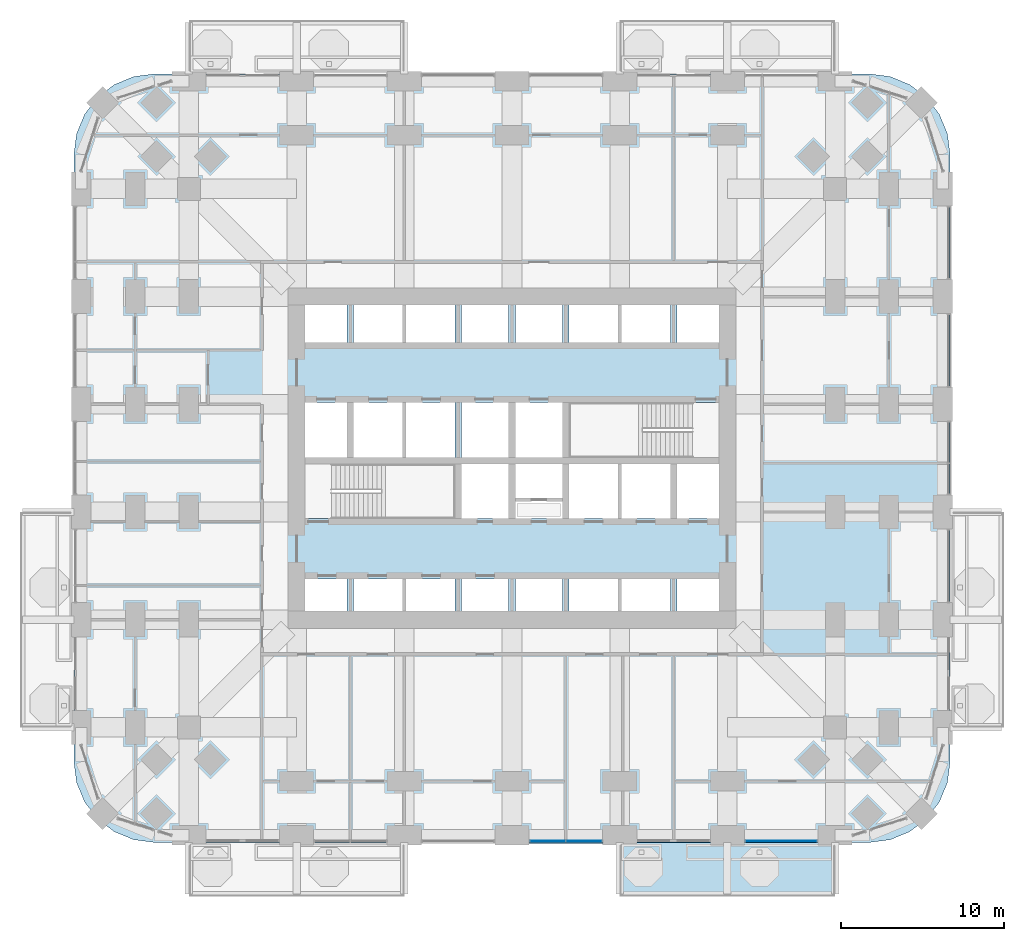
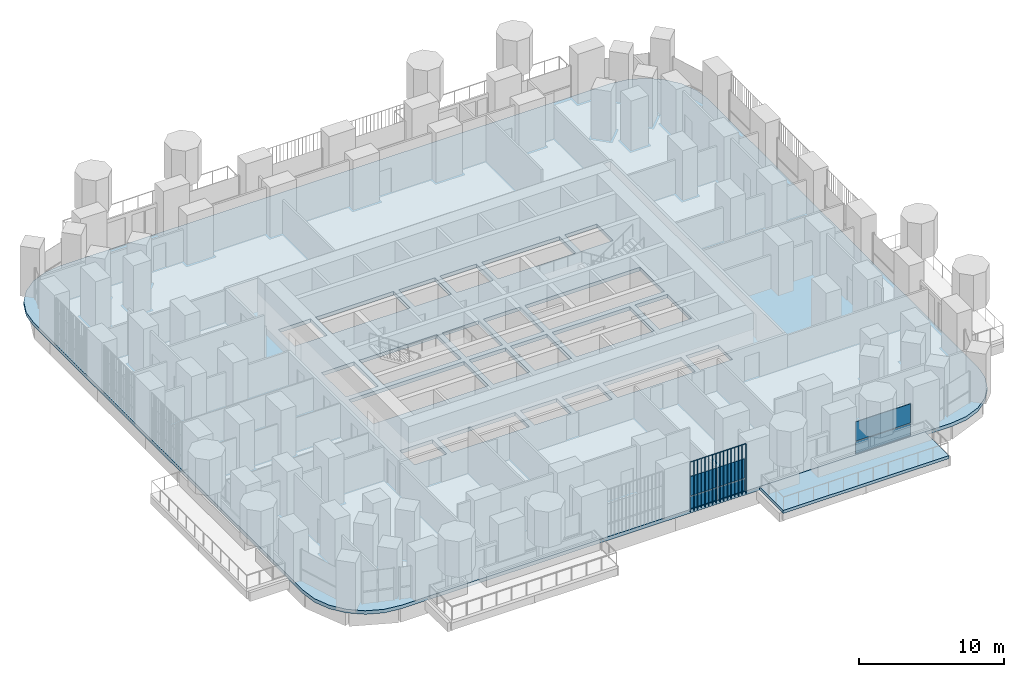
# One storey, part 13 of 27: 7 plates, 2 slabs, 2 elements without a shape of their own.
"""IFC4 building model written with IfcOpenShell, lengths in metres."""

from ifc_helpers import new_model, si_unit, direction, frame, origin, origin_2d, place, context, subcontext, project, spatial, polyline, rectangle, outline, extrude, material, layer, layer_set, type_object, element, aggregate, save


model = new_model("IFC4")

# Units and contexts
model_context = context("Model", 3, precision=1e-05, world=origin(), true_north=direction((0.0, 1.0)))
body_context = subcontext(model_context, "Body", "Model", "MODEL_VIEW")
ifc_project = project(units=[si_unit("LENGTHUNIT", "METRE"), si_unit("AREAUNIT", "SQUARE_METRE"), si_unit("VOLUMEUNIT", "CUBIC_METRE"), si_unit("PLANEANGLEUNIT", "RADIAN"), si_unit("MASSUNIT", "GRAM", prefix="KILO")], contexts=[model_context])

# Site, building, storey
site_placement = place(None, origin())
site = spatial("IfcSite", under=ifc_project, at=site_placement, CompositionType="ELEMENT")
building_placement = place(site_placement, origin())
building = spatial("IfcBuilding", under=site, at=building_placement, Name="Cobogo Forest Laboratory Tower", CompositionType="ELEMENT")
storey_placement = place(building_placement, frame((0.0, 0.0, 46.5)))
storey = spatial("IfcBuildingStorey", under=building, at=storey_placement, Name="L10", CompositionType="ELEMENT", Elevation=46.5)

# Slabs
ifc_material_1 = material(Name="Concrete HA-40 (C40/50)", Category="concrete")
ifc_layer_1 = layer(ifc_material_1, 0.25)
ifc_layer_set_1 = layer_set([ifc_layer_1], Name="Balcony slab 250")
slab_type_1 = type_object("IfcSlabType", Name="Balcony slab 250", PredefinedType="FLOOR", material=ifc_layer_set_1)
slab_1_placement = place(storey_placement, frame((0.0, 0.0, -0.25)))
element("IfcSlab", 1, at=slab_1_placement, inside=storey, type_object=slab_type_1, Name="Balcony BAL-S2 L10", PredefinedType="FLOOR", context=body_context, shape_type="SweptSolid", body=[
    extrude(outline(polyline([(33.0, -3.75), (46.199951171875, -3.75), (46.199951171875, -0.449951171875), (33.0, -0.449951171875), (33.0, -3.75)])), origin(), (0.0, 0.0, 1.0), 0.25),
])
ifc_layer_2 = layer(ifc_material_1, 0.300048828125)
ifc_layer_set_2 = layer_set([ifc_layer_2], Name="Floor slab 300")
slab_type_2 = type_object("IfcSlabType", Name="Floor slab 300", PredefinedType="FLOOR", material=ifc_layer_set_2)
slab_2_placement = place(storey_placement, frame((0.0, 0.0, -0.300048828125)))
element("IfcSlab", 2, at=slab_2_placement, inside=storey, type_object=slab_type_2, Name="L10 floor slab", PredefinedType="FLOOR", context=body_context, shape_type="SweptSolid", body=[
    extrude(outline(polyline([(48.300048828125, -0.449951171875), (49.5810546875, -0.28125), (50.77490234375, 0.213134765625), (51.80029296875, 0.999755859375), (52.5869140625, 2.02490234375), (53.081298828125, 3.21875), (53.25, 4.5), (53.25, 41.699951171875), (53.081298828125, 42.981201171875), (52.5869140625, 44.175048828125), (51.80029296875, 45.2001953125), (50.77490234375, 45.98681640625), (49.5810546875, 46.4814453125), (48.300048828125, 46.64990234375), (4.5, 46.64990234375), (3.21875, 46.4814453125), (2.02490234375, 45.98681640625), (0.999755859375, 45.2001953125), (0.213134765625, 44.175048828125), (-0.28125, 42.981201171875), (-0.449951171875, 41.699951171875), (-0.449951171875, 4.5), (-0.28125, 3.21875), (0.213134765625, 2.02490234375), (0.999755859375, 0.999755859375), (2.02490234375, 0.213134765625), (3.21875, -0.28125), (4.5, -0.449951171875), (48.300048828125, -0.449951171875)]), holes=[polyline([(16.300048828125, 13.72509765625), (13.72509765625, 13.72509765625), (13.72509765625, 15.699951171875), (16.300048828125, 15.699951171875), (16.300048828125, 13.72509765625)]), polyline([(22.89990234375, 15.699951171875), (22.89990234375, 13.72509765625), (16.699951171875, 13.72509765625), (16.699951171875, 15.699951171875), (22.89990234375, 15.699951171875)]), polyline([(23.300048828125, 13.72509765625), (23.300048828125, 15.699951171875), (26.199951171875, 15.699951171875), (26.199951171875, 13.72509765625), (23.300048828125, 13.72509765625)]), polyline([(29.5, 13.72509765625), (26.60009765625, 13.72509765625), (26.60009765625, 15.699951171875), (29.5, 15.699951171875), (29.5, 13.72509765625)]), polyline([(36.10009765625, 15.699951171875), (36.10009765625, 13.72509765625), (29.89990234375, 13.72509765625), (29.89990234375, 15.699951171875), (36.10009765625, 15.699951171875)]), polyline([(36.5, 13.72509765625), (36.5, 15.699951171875), (39.074951171875, 15.699951171875), (39.074951171875, 13.72509765625), (36.5, 13.72509765625)]), polyline([(13.72509765625, 19.39990234375), (13.72509765625, 22.75), (22.89990234375, 22.75), (22.89990234375, 19.39990234375), (13.72509765625, 19.39990234375)]), polyline([(23.300048828125, 19.39990234375), (23.300048828125, 22.75), (26.199951171875, 22.75), (26.199951171875, 19.39990234375), (23.300048828125, 19.39990234375)]), polyline([(26.60009765625, 19.39990234375), (26.60009765625, 22.75), (29.5, 22.75), (29.5, 19.39990234375), (26.60009765625, 19.39990234375)]), polyline([(36.10009765625, 22.75), (36.10009765625, 19.39990234375), (29.89990234375, 19.39990234375), (29.89990234375, 22.75), (36.10009765625, 22.75)]), polyline([(39.074951171875, 19.39990234375), (36.5, 19.39990234375), (36.5, 22.75), (39.074951171875, 22.75), (39.074951171875, 19.39990234375)]), polyline([(13.72509765625, 23.14990234375), (13.72509765625, 26.5), (16.300048828125, 26.5), (16.300048828125, 23.14990234375), (13.72509765625, 23.14990234375)]), polyline([(22.89990234375, 26.5), (22.89990234375, 23.14990234375), (16.699951171875, 23.14990234375), (16.699951171875, 26.5), (22.89990234375, 26.5)]), polyline([(23.300048828125, 23.14990234375), (23.300048828125, 26.5), (26.199951171875, 26.5), (26.199951171875, 23.14990234375), (23.300048828125, 23.14990234375)]), polyline([(26.60009765625, 23.14990234375), (26.60009765625, 26.5), (29.5, 26.5), (29.5, 23.14990234375), (26.60009765625, 23.14990234375)]), polyline([(29.89990234375, 23.14990234375), (29.89990234375, 26.5), (39.074951171875, 26.5), (39.074951171875, 23.14990234375), (29.89990234375, 23.14990234375)]), polyline([(13.72509765625, 30.199951171875), (13.72509765625, 32.47509765625), (16.300048828125, 32.47509765625), (16.300048828125, 30.199951171875), (13.72509765625, 30.199951171875)]), polyline([(22.89990234375, 32.47509765625), (22.89990234375, 30.199951171875), (16.699951171875, 30.199951171875), (16.699951171875, 32.47509765625), (22.89990234375, 32.47509765625)]), polyline([(23.300048828125, 30.199951171875), (23.300048828125, 32.47509765625), (26.199951171875, 32.47509765625), (26.199951171875, 30.199951171875), (23.300048828125, 30.199951171875)]), polyline([(26.60009765625, 30.199951171875), (26.60009765625, 32.47509765625), (29.5, 32.47509765625), (29.5, 30.199951171875), (26.60009765625, 30.199951171875)]), polyline([(36.10009765625, 32.47509765625), (36.10009765625, 30.199951171875), (29.89990234375, 30.199951171875), (29.89990234375, 32.47509765625), (36.10009765625, 32.47509765625)]), polyline([(36.5, 30.199951171875), (36.5, 32.47509765625), (39.074951171875, 32.47509765625), (39.074951171875, 30.199951171875), (36.5, 30.199951171875)])]), origin(), (0.0, 0.0, 1.0), 0.300048828125),
])

# Curtain wall, plates
ifc_material_2 = material(Name="Aluminium curtain wall", Category="aluminium")
curtain_wall_type = type_object("IfcCurtainWallType", Name="CW-1 unitised curtain wall, clear glazing, laboratory floors zones A and B", PredefinedType="USERDEFINED", material=ifc_material_2)
curtain_wall_1_placement = place(storey_placement, origin())
curtain_wall_1 = element("IfcCurtainWall", 3, at=curtain_wall_1_placement, inside=storey, type_object=curtain_wall_type, Name="Curtain wall 04 L10", ObjectType="UNITISED CURTAIN WALL", PredefinedType="USERDEFINED")
ifc_material_3 = material(Name="Clear insulated glass", Category="glass")
ifc_layer_3 = layer(ifc_material_3, 0.028076171875)
ifc_layer_set_3 = layer_set([ifc_layer_3], Name="GP-1 clear insulated glass unit 28")
plate_type_1 = type_object("IfcPlateType", Name="GP-1 clear insulated glass unit 28", PredefinedType="CURTAIN_PANEL", material=ifc_layer_set_3)
plate_1_placement = place(storey_placement, frame((28.590087890625, -0.35009765625, 0.0), z_axis=(0.0, 0.0, 1.0), x_axis=(1.0, 0.0, 0.0)))
plate_1 = element("IfcPlate", 4, at=plate_1_placement, type_object=plate_type_1, Name="CW-1 panel 1.1", PredefinedType="CURTAIN_PANEL", context=body_context, shape_type="SweptSolid", body=[
    extrude(rectangle(XDim=2.159912109375, YDim=0.028076171875, at=origin_2d()), origin(), (0.0, 0.0, 1.0), 1.02001953125),
])
plate_2_placement = place(storey_placement, frame((28.590087890625, -0.35009765625, 1.079833984375), z_axis=(0.0, 0.0, 1.0), x_axis=(1.0, 0.0, 0.0)))
plate_2 = element("IfcPlate", 5, at=plate_2_placement, type_object=plate_type_1, Name="CW-1 panel 1.2", PredefinedType="CURTAIN_PANEL", context=body_context, shape_type="SweptSolid", body=[
    extrude(rectangle(XDim=2.159912109375, YDim=0.028076171875, at=origin_2d()), origin(), (0.0, 0.0, 1.0), 1.6201171875),
])
plate_3_placement = place(storey_placement, frame((30.81005859375, -0.35009765625, 0.0), z_axis=(0.0, 0.0, 1.0), x_axis=(1.0, 0.0, 0.0)))
plate_3 = element("IfcPlate", 6, at=plate_3_placement, type_object=plate_type_1, Name="CW-1 panel 2.1", PredefinedType="CURTAIN_PANEL", context=body_context, shape_type="SweptSolid", body=[
    extrude(rectangle(XDim=2.159912109375, YDim=0.028076171875, at=origin_2d()), origin(), (0.0, 0.0, 1.0), 1.02001953125),
])
plate_4_placement = place(storey_placement, frame((30.81005859375, -0.35009765625, 1.079833984375), z_axis=(0.0, 0.0, 1.0), x_axis=(1.0, 0.0, 0.0)))
plate_4 = element("IfcPlate", 7, at=plate_4_placement, type_object=plate_type_1, Name="CW-1 panel 2.2", PredefinedType="CURTAIN_PANEL", context=body_context, shape_type="SweptSolid", body=[
    extrude(rectangle(XDim=2.159912109375, YDim=0.028076171875, at=origin_2d()), origin(), (0.0, 0.0, 1.0), 1.6201171875),
])
aggregate(curtain_wall_1, [plate_1, plate_2, plate_3, plate_4])

curtain_wall_2_placement = place(storey_placement, origin())
curtain_wall_2 = element("IfcCurtainWall", 8, at=curtain_wall_2_placement, inside=storey, type_object=curtain_wall_type, Name="Curtain wall 06 L10", ObjectType="UNITISED CURTAIN WALL", PredefinedType="USERDEFINED")
plate_5_placement = place(storey_placement, frame((42.89990234375, -0.35009765625, 0.0), z_axis=(0.0, 0.0, 1.0), x_axis=(1.0, 0.0, 0.0)))
plate_5 = element("IfcPlate", 9, at=plate_5_placement, type_object=plate_type_1, Name="CW-1 panel 1.1", PredefinedType="CURTAIN_PANEL", context=body_context, shape_type="SweptSolid", body=[
    extrude(rectangle(XDim=4.3798828125, YDim=0.028076171875, at=origin_2d()), origin(), (0.0, 0.0, 1.0), 1.02001953125),
])
plate_6_placement = place(storey_placement, frame((42.89990234375, -0.35009765625, 1.079833984375), z_axis=(0.0, 0.0, 1.0), x_axis=(1.0, 0.0, 0.0)))
plate_6 = element("IfcPlate", 10, at=plate_6_placement, type_object=plate_type_1, Name="CW-1 panel 1.2", PredefinedType="CURTAIN_PANEL", context=body_context, shape_type="SweptSolid", body=[
    extrude(rectangle(XDim=4.3798828125, YDim=0.028076171875, at=origin_2d()), origin(), (0.0, 0.0, 1.0), 1.6201171875),
])
aggregate(curtain_wall_2, [plate_5, plate_6])

# Plate
ifc_material_4 = material(Name="Terracotta", Category="masonry")
plate_type_2 = type_object("IfcPlateType", Name="TB1 terracotta baguette screen", PredefinedType="USERDEFINED", material=ifc_material_4)
plate_7_placement = place(storey_placement, frame((27.481201171875, -0.477783203125, -0.14990234375)))
element("IfcPlate", 11, at=plate_7_placement, inside=storey, type_object=plate_type_2, Name="Baguette screen S4 L10", ObjectType="BAGUETTE SCREEN", PredefinedType="USERDEFINED", context=body_context, shape_type="SweptSolid", body=[
    extrude(outline(polyline([(0.02880859375, 0.011962890625), (0.011962890625, 0.02880859375), (-0.011962890625, 0.02880859375), (-0.02880859375, 0.011962890625), (-0.02880859375, -0.011962890625), (-0.011962890625, -0.02880859375), (0.011962890625, -0.02880859375), (0.02880859375, -0.011962890625), (0.02880859375, 0.011962890625)])), frame((0.0, 0.0, 4.168701171875), z_axis=(1.0, 0.0, 0.0), x_axis=(0.0, 1.0, 0.0)), (0.0, 0.0, 1.0), 4.4375),
    extrude(outline(polyline([(0.02880859375, 0.011962890625), (0.011962890625, 0.02880859375), (-0.011962890625, 0.02880859375), (-0.02880859375, 0.011962890625), (-0.02880859375, -0.011962890625), (-0.011962890625, -0.02880859375), (0.011962890625, -0.02880859375), (0.02880859375, -0.011962890625), (0.02880859375, 0.011962890625)])), origin(), (0.0, 0.0, 1.0), 4.137451171875),
    extrude(outline(polyline([(0.02880859375, 0.011962890625), (0.011962890625, 0.02880859375), (-0.011962890625, 0.02880859375), (-0.02880859375, 0.011962890625), (-0.02880859375, -0.011962890625), (-0.011962890625, -0.02880859375), (0.011962890625, -0.02880859375), (0.02880859375, -0.011962890625), (0.02880859375, 0.011962890625)])), frame((0.2958984375, 0.0, 0.0)), (0.0, 0.0, 1.0), 4.137451171875),
    extrude(outline(polyline([(0.02880859375, 0.011962890625), (0.011962890625, 0.02880859375), (-0.011962890625, 0.02880859375), (-0.02880859375, 0.011962890625), (-0.02880859375, -0.011962890625), (-0.011962890625, -0.02880859375), (0.011962890625, -0.02880859375), (0.02880859375, -0.011962890625), (0.02880859375, 0.011962890625)])), frame((0.591552734375, 0.0, 0.0)), (0.0, 0.0, 1.0), 4.137451171875),
    extrude(outline(polyline([(0.02880859375, 0.011962890625), (0.011962890625, 0.02880859375), (-0.011962890625, 0.02880859375), (-0.02880859375, 0.011962890625), (-0.02880859375, -0.011962890625), (-0.011962890625, -0.02880859375), (0.011962890625, -0.02880859375), (0.02880859375, -0.011962890625), (0.02880859375, 0.011962890625)])), frame((0.887451171875, 0.0, 0.0)), (0.0, 0.0, 1.0), 4.137451171875),
    extrude(outline(polyline([(0.02880859375, 0.011962890625), (0.011962890625, 0.02880859375), (-0.011962890625, 0.02880859375), (-0.02880859375, 0.011962890625), (-0.02880859375, -0.011962890625), (-0.011962890625, -0.02880859375), (0.011962890625, -0.02880859375), (0.02880859375, -0.011962890625), (0.02880859375, 0.011962890625)])), frame((1.183349609375, 0.0, 0.0)), (0.0, 0.0, 1.0), 4.137451171875),
    extrude(outline(polyline([(0.02880859375, 0.011962890625), (0.011962890625, 0.02880859375), (-0.011962890625, 0.02880859375), (-0.02880859375, 0.011962890625), (-0.02880859375, -0.011962890625), (-0.011962890625, -0.02880859375), (0.011962890625, -0.02880859375), (0.02880859375, -0.011962890625), (0.02880859375, 0.011962890625)])), frame((1.479248046875, 0.0, 0.0)), (0.0, 0.0, 1.0), 4.137451171875),
    extrude(outline(polyline([(0.02880859375, 0.011962890625), (0.011962890625, 0.02880859375), (-0.011962890625, 0.02880859375), (-0.02880859375, 0.011962890625), (-0.02880859375, -0.011962890625), (-0.011962890625, -0.02880859375), (0.011962890625, -0.02880859375), (0.02880859375, -0.011962890625), (0.02880859375, 0.011962890625)])), frame((1.77490234375, 0.0, 0.0)), (0.0, 0.0, 1.0), 4.137451171875),
    extrude(outline(polyline([(0.02880859375, 0.011962890625), (0.011962890625, 0.02880859375), (-0.011962890625, 0.02880859375), (-0.02880859375, 0.011962890625), (-0.02880859375, -0.011962890625), (-0.011962890625, -0.02880859375), (0.011962890625, -0.02880859375), (0.02880859375, -0.011962890625), (0.02880859375, 0.011962890625)])), frame((2.07080078125, 0.0, 0.0)), (0.0, 0.0, 1.0), 4.137451171875),
    extrude(outline(polyline([(0.02880859375, 0.011962890625), (0.011962890625, 0.02880859375), (-0.011962890625, 0.02880859375), (-0.02880859375, 0.011962890625), (-0.02880859375, -0.011962890625), (-0.011962890625, -0.02880859375), (0.011962890625, -0.02880859375), (0.02880859375, -0.011962890625), (0.02880859375, 0.011962890625)])), frame((2.36669921875, 0.0, 0.0)), (0.0, 0.0, 1.0), 4.137451171875),
    extrude(outline(polyline([(0.02880859375, 0.011962890625), (0.011962890625, 0.02880859375), (-0.011962890625, 0.02880859375), (-0.02880859375, 0.011962890625), (-0.02880859375, -0.011962890625), (-0.011962890625, -0.02880859375), (0.011962890625, -0.02880859375), (0.02880859375, -0.011962890625), (0.02880859375, 0.011962890625)])), frame((2.66259765625, 0.0, 0.0)), (0.0, 0.0, 1.0), 4.137451171875),
    extrude(outline(polyline([(0.02880859375, 0.011962890625), (0.011962890625, 0.02880859375), (-0.011962890625, 0.02880859375), (-0.02880859375, 0.011962890625), (-0.02880859375, -0.011962890625), (-0.011962890625, -0.02880859375), (0.011962890625, -0.02880859375), (0.02880859375, -0.011962890625), (0.02880859375, 0.011962890625)])), frame((2.958251953125, 0.0, 0.0)), (0.0, 0.0, 1.0), 4.137451171875),
    extrude(outline(polyline([(0.02880859375, 0.011962890625), (0.011962890625, 0.02880859375), (-0.011962890625, 0.02880859375), (-0.02880859375, 0.011962890625), (-0.02880859375, -0.011962890625), (-0.011962890625, -0.02880859375), (0.011962890625, -0.02880859375), (0.02880859375, -0.011962890625), (0.02880859375, 0.011962890625)])), frame((3.254150390625, 0.0, 0.0)), (0.0, 0.0, 1.0), 4.137451171875),
    extrude(outline(polyline([(0.02880859375, 0.011962890625), (0.011962890625, 0.02880859375), (-0.011962890625, 0.02880859375), (-0.02880859375, 0.011962890625), (-0.02880859375, -0.011962890625), (-0.011962890625, -0.02880859375), (0.011962890625, -0.02880859375), (0.02880859375, -0.011962890625), (0.02880859375, 0.011962890625)])), frame((3.550048828125, 0.0, 0.0)), (0.0, 0.0, 1.0), 4.137451171875),
    extrude(outline(polyline([(0.02880859375, 0.011962890625), (0.011962890625, 0.02880859375), (-0.011962890625, 0.02880859375), (-0.02880859375, 0.011962890625), (-0.02880859375, -0.011962890625), (-0.011962890625, -0.02880859375), (0.011962890625, -0.02880859375), (0.02880859375, -0.011962890625), (0.02880859375, 0.011962890625)])), frame((3.845947265625, 0.0, 0.0)), (0.0, 0.0, 1.0), 4.137451171875),
    extrude(outline(polyline([(0.02880859375, 0.011962890625), (0.011962890625, 0.02880859375), (-0.011962890625, 0.02880859375), (-0.02880859375, 0.011962890625), (-0.02880859375, -0.011962890625), (-0.011962890625, -0.02880859375), (0.011962890625, -0.02880859375), (0.02880859375, -0.011962890625), (0.02880859375, 0.011962890625)])), frame((4.1416015625, 0.0, 0.0)), (0.0, 0.0, 1.0), 4.137451171875),
    extrude(outline(polyline([(0.02880859375, 0.011962890625), (0.011962890625, 0.02880859375), (-0.011962890625, 0.02880859375), (-0.02880859375, 0.011962890625), (-0.02880859375, -0.011962890625), (-0.011962890625, -0.02880859375), (0.011962890625, -0.02880859375), (0.02880859375, -0.011962890625), (0.02880859375, 0.011962890625)])), frame((4.4375, 0.0, 0.0)), (0.0, 0.0, 1.0), 4.137451171875),
])

save(model, "model.ifc")
